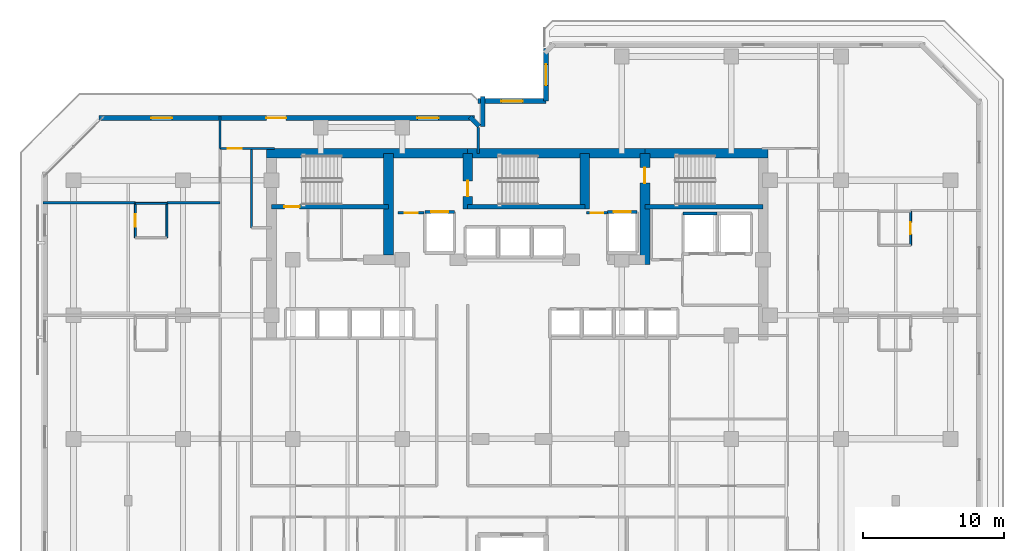
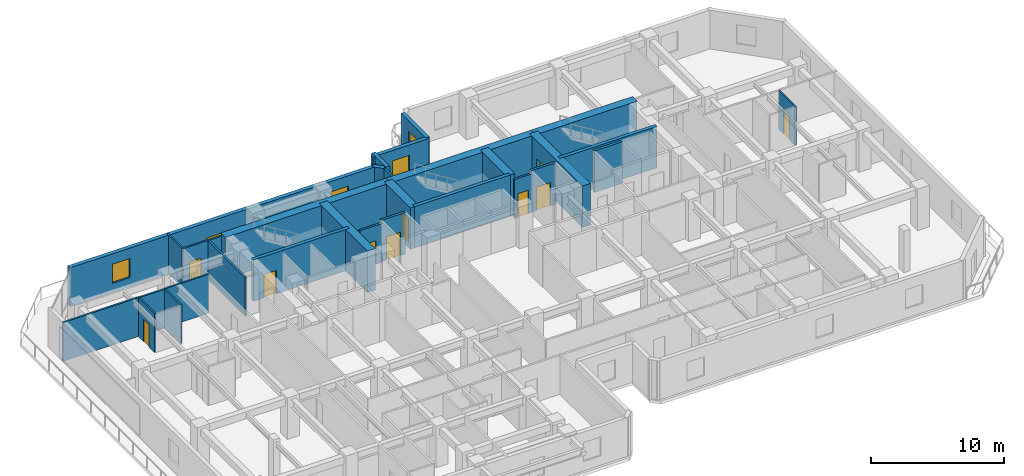
# One storey, part 8 of 11: 30 walls, 11 doors, 4 windows, 15 openings.
"""IFC4 building model written with IfcOpenShell, lengths in metres."""

from ifc_helpers import new_model, si_unit, direction, frame, frame_2d, origin, place, context, subcontext, project, spatial, rectangle, extrude, material, layer, layer_set, type_object, element, fill, save


model = new_model("IFC4")

# Units and contexts
model_context = context("Model", 3, precision=1e-05, world=origin(), true_north=direction((0.0, 1.0)))
body_context = subcontext(model_context, "Body", "Model", "MODEL_VIEW")
ifc_project = project(units=[si_unit("LENGTHUNIT", "METRE"), si_unit("AREAUNIT", "SQUARE_METRE"), si_unit("VOLUMEUNIT", "CUBIC_METRE"), si_unit("PLANEANGLEUNIT", "RADIAN"), si_unit("MASSUNIT", "GRAM", prefix="KILO")], contexts=[model_context])

# Site, building, storey
site_placement = place(None, origin())
site = spatial("IfcSite", under=ifc_project, at=site_placement, CompositionType="ELEMENT")
building_placement = place(site_placement, origin())
building = spatial("IfcBuilding", under=site, at=building_placement, Name="Kestravale Grand Hotel", CompositionType="ELEMENT")
storey_placement = place(building_placement, frame((0.0, 0.0, 134.60009765625)))
storey = spatial("IfcBuildingStorey", under=building, at=storey_placement, Name="L33", CompositionType="ELEMENT", Elevation=134.60009765625)

# Walls
ifc_material_1 = material(Name="Concrete f'c 60 MPa", Category="concrete")
ifc_layer_1 = layer(ifc_material_1, 0.699951171875)
ifc_layer_set_1 = layer_set([ifc_layer_1], Name="EW-CORE-700")
wall_type_1 = type_object("IfcWallType", Name="EW-CORE-700", PredefinedType="SHEAR", material=ifc_layer_set_1)
wall_1_placement = place(storey_placement, frame((21.550048828125, 40.320068359375, 0.0), z_axis=(0.0, 0.0, 1.0), x_axis=(1.0, 0.0, 0.0)))
element("IfcWall", 1, at=wall_1_placement, inside=storey, type_object=wall_type_1, Name="L33 core shear wall N1", PredefinedType="SHEAR", context=body_context, shape_type="SweptSolid", body=[
    extrude(rectangle(XDim=14.300048828125, YDim=0.699951171875, at=frame_2d((7.14990234375, 0.0))), origin(), (0.0, 0.0, 1.0), 3.7998046875),
])
wall_2_placement = place(storey_placement, frame((35.85009765625, 40.320068359375, 0.0), z_axis=(0.0, 0.0, 1.0), x_axis=(1.0, 0.0, 0.0)))
element("IfcWall", 2, at=wall_2_placement, inside=storey, type_object=wall_type_1, Name="L33 core shear wall N2", PredefinedType="SHEAR", context=body_context, shape_type="SweptSolid", body=[
    extrude(rectangle(XDim=12.599853515625, YDim=0.699951171875, at=frame_2d((6.2998046875, 0.0))), origin(), (0.0, 0.0, 1.0), 3.7998046875),
])
wall_3_placement = place(storey_placement, frame((48.449951171875, 40.320068359375, 0.0), z_axis=(0.0, 0.0, 1.0), x_axis=(1.0, 0.0, 0.0)))
element("IfcWall", 3, at=wall_3_placement, inside=storey, type_object=wall_type_1, Name="L33 core shear wall N3", PredefinedType="SHEAR", context=body_context, shape_type="SweptSolid", body=[
    extrude(rectangle(XDim=8.77001953125, YDim=0.699951171875, at=frame_2d((4.385009765625, 0.0))), origin(), (0.0, 0.0, 1.0), 3.7998046875),
])
wall_4_placement = place(storey_placement, frame((30.219970703125, 33.10009765625, 0.0), z_axis=(0.0, 0.0, 1.0), x_axis=(0.0, 1.0, 0.0)))
element("IfcWall", 4, at=wall_4_placement, inside=storey, type_object=wall_type_1, Name="L33 core shear wall X1", PredefinedType="SHEAR", context=body_context, shape_type="SweptSolid", body=[
    extrude(rectangle(XDim=7.219970703125, YDim=0.699951171875, at=frame_2d((3.60986328125, 0.0))), origin(), (0.0, 0.0, 1.0), 3.7998046875),
])

# Wall, opening, door
wall_5_placement = place(storey_placement, frame((35.85009765625, 36.3701171875, 0.0), z_axis=(0.0, 0.0, 1.0), x_axis=(0.0, 1.0, 0.0)))
wall_5 = element("IfcWall", 5, at=wall_5_placement, inside=storey, type_object=wall_type_1, Name="L33 core shear wall X2", PredefinedType="SHEAR", context=body_context, shape_type="SweptSolid", body=[
    extrude(rectangle(XDim=3.949951171875, YDim=0.699951171875, at=frame_2d((1.97509765625, 0.0))), origin(), (0.0, 0.0, 1.0), 3.7998046875),
])
opening_1_placement = place(wall_5_placement, frame((0.8798828125, 0.0, 0.0)))
opening_1 = element("IfcOpeningElement", 6, at=opening_1_placement, cuts=wall_5, Name="Opening D-ST-1100", PredefinedType="OPENING", context=body_context, shape_type="SweptSolid", body=[
    extrude(rectangle(XDim=1.10009765625, YDim=2.14990234375, at=frame_2d((0.550048828125, 1.074951171875))), frame((0.0, 0.35986328125, 0.0), z_axis=(0.0, -1.0, 0.0), x_axis=(1.0, 0.0, 0.0)), (0.0, 0.0, 1.0), 0.719970703125),
])
ifc_material_2 = material(Name="Galvanised 90-minute fire-rated steel stair door", Category="steel")
door_type_1 = type_object("IfcDoorType", Name="D-ST-1100", OperationType="NOTDEFINED", PredefinedType="DOOR", material=ifc_material_2)
door_1_placement = place(opening_1_placement, origin())
door_1 = element("IfcDoor", 7, at=door_1_placement, inside=storey, type_object=door_type_1, Name="L33 Stair ST-2 FSAE fire door", OperationType="SINGLE_SWING_RIGHT", OverallHeight=2.14990234375, OverallWidth=1.10009765625, PredefinedType="DOOR", context=body_context, shape_type="SweptSolid", body=[
    extrude(rectangle(XDim=1.10009765625, YDim=2.14990234375, at=frame_2d((0.550048828125, 1.074951171875))), frame((0.0, 0.02490234375, 0.0), z_axis=(0.0, -1.0, 0.0), x_axis=(1.0, 0.0, 0.0)), (0.0, 0.0, 1.0), 0.050048828125),
])
fill(opening_1, door_1)

# Wall
wall_6_placement = place(storey_placement, frame((44.179931640625, 36.3701171875, 0.0), z_axis=(0.0, 0.0, 1.0), x_axis=(0.0, 1.0, 0.0)))
element("IfcWall", 8, at=wall_6_placement, inside=storey, type_object=wall_type_1, Name="L33 core shear wall X3", PredefinedType="SHEAR", context=body_context, shape_type="SweptSolid", body=[
    extrude(rectangle(XDim=3.949951171875, YDim=0.699951171875, at=frame_2d((1.97509765625, 0.0))), origin(), (0.0, 0.0, 1.0), 3.7998046875),
])

# Wall, opening, door
wall_7_placement = place(storey_placement, frame((48.449951171875, 32.39990234375, 0.0), z_axis=(0.0, 0.0, 1.0), x_axis=(0.0, 1.0, 0.0)))
wall_7 = element("IfcWall", 9, at=wall_7_placement, inside=storey, type_object=wall_type_1, Name="L33 core shear wall X4", PredefinedType="SHEAR", context=body_context, shape_type="SweptSolid", body=[
    extrude(rectangle(XDim=7.920166015625, YDim=0.699951171875, at=frame_2d((3.9599609375, 0.0))), origin(), (0.0, 0.0, 1.0), 3.7998046875),
])
opening_2_placement = place(wall_7_placement, frame((5.800048828125, 0.0, 0.0)))
opening_2 = element("IfcOpeningElement", 10, at=opening_2_placement, cuts=wall_7, Name="Opening D-ST-1100", PredefinedType="OPENING", context=body_context, shape_type="SweptSolid", body=[
    extrude(rectangle(XDim=1.10009765625, YDim=2.14990234375, at=frame_2d((0.550048828125, 1.074951171875))), frame((0.0, 0.35986328125, 0.0), z_axis=(0.0, -1.0, 0.0), x_axis=(1.0, 0.0, 0.0)), (0.0, 0.0, 1.0), 0.719970703125),
])
door_2_placement = place(opening_2_placement, origin())
door_2 = element("IfcDoor", 11, at=door_2_placement, inside=storey, type_object=door_type_1, Name="L33 Stair ST-3 FSAE fire door", OperationType="SINGLE_SWING_RIGHT", OverallHeight=2.14990234375, OverallWidth=1.10009765625, PredefinedType="DOOR", context=body_context, shape_type="SweptSolid", body=[
    extrude(rectangle(XDim=1.10009765625, YDim=2.14990234375, at=frame_2d((0.550048828125, 1.074951171875))), frame((0.0, 0.02490234375, 0.0), z_axis=(0.0, -1.0, 0.0), x_axis=(1.0, 0.0, 0.0)), (0.0, 0.0, 1.0), 0.050048828125),
])
fill(opening_2, door_2)

# Wall, opening, window
ifc_material_3 = material(Name="Precast concrete f'c 45 MPa", Category="concrete")
ifc_layer_2 = layer(ifc_material_3, 0.340087890625)
ifc_layer_set_2 = layer_set([ifc_layer_2], Name="EW-PREC-340")
wall_type_2 = type_object("IfcWallType", Name="EW-PREC-340", PredefinedType="SOLIDWALL", material=ifc_layer_set_2)
wall_8_placement = place(storey_placement, frame((41.419921875, 47.77001953125, 0.0), z_axis=(0.0, 0.0, 1.0), x_axis=(0.0, -1.0, 0.0)))
wall_8 = element("IfcWall", 12, at=wall_8_placement, inside=storey, type_object=wall_type_2, Name="L33 fluted precast facade wall 13", PredefinedType="SOLIDWALL", context=body_context, shape_type="SweptSolid", body=[
    extrude(rectangle(XDim=3.739990234375, YDim=0.340087890625, at=frame_2d((1.8701171875, 0.0))), origin(), (0.0, 0.0, 1.0), 3.5498046875),
])
opening_3_placement = place(wall_8_placement, frame((1.1201171875, 0.0, 0.85009765625)))
opening_3 = element("IfcOpeningElement", 13, at=opening_3_placement, cuts=wall_8, Name="Opening W-GUEST-1500", PredefinedType="OPENING", context=body_context, shape_type="SweptSolid", body=[
    extrude(rectangle(XDim=1.5, YDim=1.75, at=frame_2d((0.75, 0.875))), frame((0.0, 0.179931640625, 0.0), z_axis=(0.0, -1.0, 0.0), x_axis=(1.0, 0.0, 0.0)), (0.0, 0.0, 1.0), 0.360107421875),
])
ifc_material_4 = material(Name="Insulated low-E double glazing in aluminium frame", Category="aluminium")
window_type = type_object("IfcWindowType", Name="W-GUEST-1500", PartitioningType="SINGLE_PANEL", PredefinedType="WINDOW", material=ifc_material_4)
window_1_placement = place(opening_3_placement, origin())
window_1 = element("IfcWindow", 14, at=window_1_placement, inside=storey, type_object=window_type, Name="L33 exterior window 13.1", OverallHeight=1.75, OverallWidth=1.5, PartitioningType="SINGLE_PANEL", PredefinedType="WINDOW", context=body_context, shape_type="SweptSolid", body=[
    extrude(rectangle(XDim=1.5, YDim=1.75, at=frame_2d((0.75, 0.875))), frame((0.0, 0.030029296875, 0.0), z_axis=(0.0, -1.0, 0.0), x_axis=(1.0, 0.0, 0.0)), (0.0, 0.0, 1.0), 0.06005859375),
])
fill(opening_3, window_1)

wall_9_placement = place(storey_placement, frame((41.419921875, 44.030029296875, 0.0), z_axis=(0.0, 0.0, 1.0), x_axis=(-1.0, 0.0, 0.0)))
wall_9 = element("IfcWall", 15, at=wall_9_placement, inside=storey, type_object=wall_type_2, Name="L33 fluted precast facade wall 14", PredefinedType="SOLIDWALL", context=body_context, shape_type="SweptSolid", body=[
    extrude(rectangle(XDim=4.83984375, YDim=0.340087890625, at=frame_2d((2.419921875, 0.0))), origin(), (0.0, 0.0, 1.0), 3.5498046875),
])
opening_4_placement = place(wall_9_placement, frame((1.669921875, 0.0, 0.85009765625)))
opening_4 = element("IfcOpeningElement", 16, at=opening_4_placement, cuts=wall_9, Name="Opening W-GUEST-1500", PredefinedType="OPENING", context=body_context, shape_type="SweptSolid", body=[
    extrude(rectangle(XDim=1.5, YDim=1.75, at=frame_2d((0.75, 0.875))), frame((0.0, 0.179931640625, 0.0), z_axis=(0.0, -1.0, 0.0), x_axis=(1.0, 0.0, 0.0)), (0.0, 0.0, 1.0), 0.360107421875),
])
window_2_placement = place(opening_4_placement, origin())
window_2 = element("IfcWindow", 17, at=window_2_placement, inside=storey, type_object=window_type, Name="L33 exterior window 14.1", OverallHeight=1.75, OverallWidth=1.5, PartitioningType="SINGLE_PANEL", PredefinedType="WINDOW", context=body_context, shape_type="SweptSolid", body=[
    extrude(rectangle(XDim=1.5, YDim=1.75, at=frame_2d((0.75, 0.875))), frame((0.0, 0.030029296875, 0.0), z_axis=(0.0, -1.0, 0.0), x_axis=(1.0, 0.0, 0.0)), (0.0, 0.0, 1.0), 0.06005859375),
])
fill(opening_4, window_2)

# Walls
wall_10_placement = place(storey_placement, frame((36.919921875, 44.3701171875, 0.0), z_axis=(0.0, 0.0, 1.0), x_axis=(0.0, -1.0, 0.0)))
element("IfcWall", 18, at=wall_10_placement, inside=storey, type_object=wall_type_2, Name="L33 fluted precast facade wall 15", PredefinedType="SOLIDWALL", context=body_context, shape_type="SweptSolid", body=[
    extrude(rectangle(XDim=2.14013671875, YDim=0.340087890625, at=frame_2d((1.070068359375, 0.0))), origin(), (0.0, 0.0, 1.0), 3.5498046875),
])
wall_11_placement = place(storey_placement, frame((36.658203125, 42.25146484375, 0.0), z_axis=(0.0, 0.0, 1.0), x_axis=(-0.707106781187, 0.707106781187, 0.0)))
element("IfcWall", 19, at=wall_11_placement, inside=storey, type_object=wall_type_2, Name="L33 fluted precast facade wall 16", PredefinedType="SOLIDWALL", context=body_context, shape_type="SweptSolid", body=[
    extrude(rectangle(XDim=0.9287109375, YDim=0.340087890625, at=frame_2d((0.46435546875, 0.0))), origin(), (0.0, 0.0, 1.0), 3.5498046875),
])

# Wall, openings, door, windows
wall_12_placement = place(storey_placement, frame((36.320068359375, 42.830078125, 0.0), z_axis=(0.0, 0.0, 1.0), x_axis=(-1.0, 0.0, 0.0)))
wall_12 = element("IfcWall", 20, at=wall_12_placement, inside=storey, type_object=wall_type_2, Name="L33 fluted precast facade wall 17", PredefinedType="SOLIDWALL", context=body_context, shape_type="SweptSolid", body=[
    extrude(rectangle(XDim=26.690185546875, YDim=0.340087890625, at=frame_2d((13.34521484375, 0.0))), origin(), (0.0, 0.0, 1.0), 3.5498046875),
])
opening_5_placement = place(wall_12_placement, frame((13.39501953125, 0.0, 0.0)))
opening_5 = element("IfcOpeningElement", 21, at=opening_5_placement, cuts=wall_12, Name="Opening D-TERR-1400", PredefinedType="OPENING", context=body_context, shape_type="SweptSolid", body=[
    extrude(rectangle(XDim=1.39990234375, YDim=2.14990234375, at=frame_2d((0.699951171875, 1.074951171875))), frame((0.0, 0.179931640625, 0.0), z_axis=(0.0, -1.0, 0.0), x_axis=(1.0, 0.0, 0.0)), (0.0, 0.0, 1.0), 0.360107421875),
])
opening_6_placement = place(wall_12_placement, frame((2.54833984375, 0.0, 0.85009765625)))
opening_6 = element("IfcOpeningElement", 22, at=opening_6_placement, cuts=wall_12, Name="Opening W-GUEST-1500", PredefinedType="OPENING", context=body_context, shape_type="SweptSolid", body=[
    extrude(rectangle(XDim=1.5, YDim=1.75, at=frame_2d((0.75, 0.875))), frame((0.0, 0.179931640625, 0.0), z_axis=(0.0, -1.0, 0.0), x_axis=(1.0, 0.0, 0.0)), (0.0, 0.0, 1.0), 0.360107421875),
])
opening_7_placement = place(wall_12_placement, frame((21.49169921875, 0.0, 0.85009765625)))
opening_7 = element("IfcOpeningElement", 23, at=opening_7_placement, cuts=wall_12, Name="Opening W-GUEST-1500", PredefinedType="OPENING", context=body_context, shape_type="SweptSolid", body=[
    extrude(rectangle(XDim=1.5, YDim=1.75, at=frame_2d((0.75, 0.875))), frame((0.0, 0.179931640625, 0.0), z_axis=(0.0, -1.0, 0.0), x_axis=(1.0, 0.0, 0.0)), (0.0, 0.0, 1.0), 0.360107421875),
])
ifc_material_5 = material(Name="Insulated glazed champagne-bronze aluminium door", Category="aluminium")
door_type_2 = type_object("IfcDoorType", Name="D-TERR-1400", OperationType="NOTDEFINED", PredefinedType="DOOR", material=ifc_material_5)
door_3_placement = place(opening_5_placement, origin())
door_3 = element("IfcDoor", 24, at=door_3_placement, inside=storey, type_object=door_type_2, Name="L33 outdoor garden terrace door", OperationType="DOUBLE_DOOR_SINGLE_SWING", OverallHeight=2.14990234375, OverallWidth=1.39990234375, PredefinedType="DOOR", context=body_context, shape_type="SweptSolid", body=[
    extrude(rectangle(XDim=1.39990234375, YDim=2.14990234375, at=frame_2d((0.699951171875, 1.074951171875))), frame((0.0, 0.02490234375, 0.0), z_axis=(0.0, -1.0, 0.0), x_axis=(1.0, 0.0, 0.0)), (0.0, 0.0, 1.0), 0.050048828125),
])
fill(opening_5, door_3)
window_3_placement = place(opening_6_placement, origin())
window_3 = element("IfcWindow", 25, at=window_3_placement, inside=storey, type_object=window_type, Name="L33 exterior window 17.1", OverallHeight=1.75, OverallWidth=1.5, PartitioningType="SINGLE_PANEL", PredefinedType="WINDOW", context=body_context, shape_type="SweptSolid", body=[
    extrude(rectangle(XDim=1.5, YDim=1.75, at=frame_2d((0.75, 0.875))), frame((0.0, 0.030029296875, 0.0), z_axis=(0.0, -1.0, 0.0), x_axis=(1.0, 0.0, 0.0)), (0.0, 0.0, 1.0), 0.06005859375),
])
fill(opening_6, window_3)
window_4_placement = place(opening_7_placement, origin())
window_4 = element("IfcWindow", 26, at=window_4_placement, inside=storey, type_object=window_type, Name="L33 exterior window 17.2", OverallHeight=1.75, OverallWidth=1.5, PartitioningType="SINGLE_PANEL", PredefinedType="WINDOW", context=body_context, shape_type="SweptSolid", body=[
    extrude(rectangle(XDim=1.5, YDim=1.75, at=frame_2d((0.75, 0.875))), frame((0.0, 0.030029296875, 0.0), z_axis=(0.0, -1.0, 0.0), x_axis=(1.0, 0.0, 0.0)), (0.0, 0.0, 1.0), 0.06005859375),
])
fill(opening_7, window_4)

# Wall, opening, door
ifc_material_6 = material(Name="Concrete f'c 45 MPa", Category="concrete")
ifc_layer_3 = layer(ifc_material_6, 0.300048828125)
ifc_layer_set_3 = layer_set([ifc_layer_3], Name="EW-STAIR-300")
wall_type_3 = type_object("IfcWallType", Name="EW-STAIR-300", PredefinedType="SHEAR", material=ifc_layer_set_3)
wall_13_placement = place(storey_placement, frame((21.89990234375, 36.52001953125, 0.0), z_axis=(0.0, 0.0, 1.0), x_axis=(1.0, 0.0, 0.0)))
wall_13 = element("IfcWall", 27, at=wall_13_placement, inside=storey, type_object=wall_type_3, Name="L33 stair enclosure shear wall SST1", PredefinedType="SHEAR", context=body_context, shape_type="SweptSolid", body=[
    extrude(rectangle(XDim=8.320068359375, YDim=0.300048828125, at=frame_2d((4.16015625, 0.0))), origin(), (0.0, 0.0, 1.0), 3.7998046875),
])
opening_8_placement = place(wall_13_placement, frame((0.89990234375, 0.0, 0.0)))
opening_8 = element("IfcOpeningElement", 28, at=opening_8_placement, cuts=wall_13, Name="Opening D-ST-1100", PredefinedType="OPENING", context=body_context, shape_type="SweptSolid", body=[
    extrude(rectangle(XDim=1.10009765625, YDim=2.14990234375, at=frame_2d((0.550048828125, 1.074951171875))), frame((0.0, 0.159912109375, 0.0), z_axis=(0.0, -1.0, 0.0), x_axis=(1.0, 0.0, 0.0)), (0.0, 0.0, 1.0), 0.320068359375),
])
door_4_placement = place(opening_8_placement, origin())
door_4 = element("IfcDoor", 29, at=door_4_placement, inside=storey, type_object=door_type_1, Name="L33 Stair ST-1 fire door", OperationType="SINGLE_SWING_RIGHT", OverallHeight=2.14990234375, OverallWidth=1.10009765625, PredefinedType="DOOR", context=body_context, shape_type="SweptSolid", body=[
    extrude(rectangle(XDim=1.10009765625, YDim=2.14990234375, at=frame_2d((0.550048828125, 1.074951171875))), frame((0.0, 0.02490234375, 0.0), z_axis=(0.0, -1.0, 0.0), x_axis=(1.0, 0.0, 0.0)), (0.0, 0.0, 1.0), 0.050048828125),
])
fill(opening_8, door_4)

# Walls
wall_14_placement = place(storey_placement, frame((35.85009765625, 36.52001953125, 0.0), z_axis=(0.0, 0.0, 1.0), x_axis=(1.0, 0.0, 0.0)))
element("IfcWall", 30, at=wall_14_placement, inside=storey, type_object=wall_type_3, Name="L33 stair enclosure shear wall SST2", PredefinedType="SHEAR", context=body_context, shape_type="SweptSolid", body=[
    extrude(rectangle(XDim=8.329833984375, YDim=0.300048828125, at=frame_2d((4.1650390625, 0.0))), origin(), (0.0, 0.0, 1.0), 3.7998046875),
])
wall_15_placement = place(storey_placement, frame((48.449951171875, 36.52001953125, 0.0), z_axis=(0.0, 0.0, 1.0), x_axis=(1.0, 0.0, 0.0)))
element("IfcWall", 31, at=wall_15_placement, inside=storey, type_object=wall_type_3, Name="L33 stair enclosure shear wall SST3", PredefinedType="SHEAR", context=body_context, shape_type="SweptSolid", body=[
    extrude(rectangle(XDim=8.420166015625, YDim=0.300048828125, at=frame_2d((4.2099609375, 0.0))), origin(), (0.0, 0.0, 1.0), 3.7998046875),
])
ifc_material_7 = material(Name="Acoustic fire-rated gypsum board partition", Category="other")
ifc_layer_4 = layer(ifc_material_7, 0.159912109375)
ifc_layer_set_4 = layer_set([ifc_layer_4], Name="IW-CORR-160")
wall_type_4 = type_object("IfcWallType", Name="IW-CORR-160", PredefinedType="PARTITIONING", material=ifc_layer_set_4)
wall_16_placement = place(storey_placement, frame((20.4599609375, 35.02001953125, 0.0), z_axis=(0.0, 0.0, 1.0), x_axis=(0.0, 1.0, 0.0)))
element("IfcWall", 32, at=wall_16_placement, inside=storey, type_object=wall_type_4, Name="W-L33-SW-EN", PredefinedType="PARTITIONING", context=body_context, shape_type="SweptSolid", body=[
    extrude(rectangle(XDim=5.6298828125, YDim=0.159912109375, at=frame_2d((2.81494140625, 0.0))), origin(), (0.0, 0.0, 1.0), 3.5498046875),
])

# Wall, opening, door
ifc_material_8 = material(Name="Fire-rated gypsum board on steel studs with mineral wool", Category="steel")
ifc_layer_5 = layer(ifc_material_8, 0.179931640625)
ifc_layer_set_5 = layer_set([ifc_layer_5], Name="IW-FSAE-180")
wall_type_5 = type_object("IfcWallType", Name="IW-FSAE-180", PredefinedType="PARTITIONING", material=ifc_layer_set_5)
wall_17_placement = place(storey_placement, frame((30.89990234375, 36.080078125, 0.0), z_axis=(0.0, 0.0, 1.0), x_axis=(1.0, 0.0, 0.0)))
wall_17 = element("IfcWall", 33, at=wall_17_placement, inside=storey, type_object=wall_type_5, Name="L33 FSAE Lobby 1 smoke barrier", PredefinedType="PARTITIONING", context=body_context, shape_type="SweptSolid", body=[
    extrude(rectangle(XDim=1.85009765625, YDim=0.179931640625, at=frame_2d((0.925048828125, 0.0))), origin(), (0.0, 0.0, 1.0), 3.5498046875),
])
opening_9_placement = place(wall_17_placement, frame((0.47998046875, 0.0, 0.0)))
opening_9 = element("IfcOpeningElement", 34, at=opening_9_placement, cuts=wall_17, Name="Opening D-FSAE-1000", PredefinedType="OPENING", context=body_context, shape_type="SweptSolid", body=[
    extrude(rectangle(XDim=0.89990234375, YDim=2.14990234375, at=frame_2d((0.449951171875, 1.074951171875))), frame((0.0, 0.099853515625, 0.0), z_axis=(0.0, -1.0, 0.0), x_axis=(1.0, 0.0, 0.0)), (0.0, 0.0, 1.0), 0.199951171875),
])
ifc_material_9 = material(Name="Smoke-gasketed FSAE lobby fire door", Category="steel")
door_type_3 = type_object("IfcDoorType", Name="D-FSAE-1000", OperationType="NOTDEFINED", PredefinedType="DOOR", material=ifc_material_9)
door_5_placement = place(opening_9_placement, origin())
door_5 = element("IfcDoor", 35, at=door_5_placement, inside=storey, type_object=door_type_3, Name="L33 FSAE Lobby 1 fire door", OperationType="SINGLE_SWING_RIGHT", OverallHeight=2.14990234375, OverallWidth=0.89990234375, PredefinedType="DOOR", context=body_context, shape_type="SweptSolid", body=[
    extrude(rectangle(XDim=0.89990234375, YDim=2.14990234375, at=frame_2d((0.449951171875, 1.074951171875))), frame((0.0, 0.02490234375, 0.0), z_axis=(0.0, -1.0, 0.0), x_axis=(1.0, 0.0, 0.0)), (0.0, 0.0, 1.0), 0.050048828125),
])
fill(opening_9, door_5)

wall_18_placement = place(storey_placement, frame((44.300048828125, 36.080078125, 0.0), z_axis=(0.0, 0.0, 1.0), x_axis=(1.0, 0.0, 0.0)))
wall_18 = element("IfcWall", 36, at=wall_18_placement, inside=storey, type_object=wall_type_5, Name="L33 FSAE Lobby 2 smoke barrier", PredefinedType="PARTITIONING", context=body_context, shape_type="SweptSolid", body=[
    extrude(rectangle(XDim=1.5, YDim=0.179931640625, at=frame_2d((0.75, 0.0))), origin(), (0.0, 0.0, 1.0), 3.5498046875),
])
opening_10_placement = place(wall_18_placement, frame((0.300048828125, 0.0, 0.0)))
opening_10 = element("IfcOpeningElement", 37, at=opening_10_placement, cuts=wall_18, Name="Opening D-FSAE-1000", PredefinedType="OPENING", context=body_context, shape_type="SweptSolid", body=[
    extrude(rectangle(XDim=0.89990234375, YDim=2.14990234375, at=frame_2d((0.449951171875, 1.074951171875))), frame((0.0, 0.099853515625, 0.0), z_axis=(0.0, -1.0, 0.0), x_axis=(1.0, 0.0, 0.0)), (0.0, 0.0, 1.0), 0.199951171875),
])
door_6_placement = place(opening_10_placement, origin())
door_6 = element("IfcDoor", 38, at=door_6_placement, inside=storey, type_object=door_type_3, Name="L33 FSAE Lobby 2 fire door", OperationType="SINGLE_SWING_LEFT", OverallHeight=2.14990234375, OverallWidth=0.89990234375, PredefinedType="DOOR", context=body_context, shape_type="SweptSolid", body=[
    extrude(rectangle(XDim=0.89990234375, YDim=2.14990234375, at=frame_2d((0.449951171875, 1.074951171875))), frame((0.0, 0.02490234375, 0.0), z_axis=(0.0, -1.0, 0.0), x_axis=(1.0, 0.0, 0.0)), (0.0, 0.0, 1.0), 0.050048828125),
])
fill(opening_10, door_6)

ifc_material_10 = material(Name="Moisture-resistant tile-backer plumbing chase wall", Category="other")
ifc_layer_6 = layer(ifc_material_10, 0.139892578125)
ifc_layer_set_6 = layer_set([ifc_layer_6], Name="IW-PLB-140")
wall_type_6 = type_object("IfcWallType", Name="IW-PLB-140", PredefinedType="PLUMBINGWALL", material=ifc_layer_set_6)
wall_19_placement = place(storey_placement, frame((12.199951171875, 34.31005859375, 0.0), z_axis=(0.0, 0.0, 1.0), x_axis=(0.0, 1.0, 0.0)))
wall_19 = element("IfcWall", 39, at=wall_19_placement, inside=storey, type_object=wall_type_6, Name="W-L33-U05-BW", PredefinedType="PLUMBINGWALL", context=body_context, shape_type="SweptSolid", body=[
    extrude(rectangle(XDim=2.449951171875, YDim=0.139892578125, at=frame_2d((1.22509765625, 0.0))), origin(), (0.0, 0.0, 1.0), 3.5498046875),
])
opening_11_placement = place(wall_19_placement, frame((0.784912109375, 0.0, 0.0)))
opening_11 = element("IfcOpeningElement", 40, at=opening_11_placement, cuts=wall_19, Name="Opening D-BATH-880", PredefinedType="OPENING", context=body_context, shape_type="SweptSolid", body=[
    extrude(rectangle(XDim=0.8798828125, YDim=2.050048828125, at=frame_2d((0.43994140625, 1.02490234375))), frame((0.0, 0.079833984375, 0.0), z_axis=(0.0, -1.0, 0.0), x_axis=(1.0, 0.0, 0.0)), (0.0, 0.0, 1.0), 0.159912109375),
])
ifc_material_11 = material(Name="Moisture-sealed walnut en-suite bathroom door", Category="wood")
door_type_4 = type_object("IfcDoorType", Name="D-BATH-880", OperationType="NOTDEFINED", PredefinedType="DOOR", material=ifc_material_11)
door_7_placement = place(opening_11_placement, origin())
door_7 = element("IfcDoor", 41, at=door_7_placement, inside=storey, type_object=door_type_4, Name="D-L33-U05-BATH", OperationType="SINGLE_SWING_LEFT", OverallHeight=2.050048828125, OverallWidth=0.8798828125, PredefinedType="DOOR", context=body_context, shape_type="SweptSolid", body=[
    extrude(rectangle(XDim=0.8798828125, YDim=2.050048828125, at=frame_2d((0.43994140625, 1.02490234375))), frame((0.0, 0.02490234375, 0.0), z_axis=(0.0, -1.0, 0.0), x_axis=(1.0, 0.0, 0.0)), (0.0, 0.0, 1.0), 0.050048828125),
])
fill(opening_11, door_7)

# Walls
wall_20_placement = place(storey_placement, frame((14.449951171875, 34.31005859375, 0.0), z_axis=(0.0, 0.0, 1.0), x_axis=(0.0, 1.0, 0.0)))
element("IfcWall", 42, at=wall_20_placement, inside=storey, type_object=wall_type_6, Name="W-L33-U05-BE", PredefinedType="PLUMBINGWALL", context=body_context, shape_type="SweptSolid", body=[
    extrude(rectangle(XDim=2.449951171875, YDim=0.139892578125, at=frame_2d((1.22509765625, 0.0))), origin(), (0.0, 0.0, 1.0), 3.5498046875),
])
wall_21_placement = place(storey_placement, frame((12.199951171875, 36.760009765625, 0.0), z_axis=(0.0, 0.0, 1.0), x_axis=(1.0, 0.0, 0.0)))
element("IfcWall", 43, at=wall_21_placement, inside=storey, type_object=wall_type_6, Name="W-L33-U05-BN", PredefinedType="PLUMBINGWALL", context=body_context, shape_type="SweptSolid", body=[
    extrude(rectangle(XDim=2.25, YDim=0.139892578125, at=frame_2d((1.125, 0.0))), origin(), (0.0, 0.0, 1.0), 3.5498046875),
])

# Wall, opening, door
wall_22_placement = place(storey_placement, frame((67.35009765625, 33.760009765625, 0.0), z_axis=(0.0, 0.0, 1.0), x_axis=(0.0, 1.0, 0.0)))
wall_22 = element("IfcWall", 44, at=wall_22_placement, inside=storey, type_object=wall_type_6, Name="W-L33-U07-BE", PredefinedType="PLUMBINGWALL", context=body_context, shape_type="SweptSolid", body=[
    extrude(rectangle(XDim=2.449951171875, YDim=0.139892578125, at=frame_2d((1.22509765625, 0.0))), origin(), (0.0, 0.0, 1.0), 3.5498046875),
])
opening_12_placement = place(wall_22_placement, frame((0.784912109375, 0.0, 0.0)))
opening_12 = element("IfcOpeningElement", 45, at=opening_12_placement, cuts=wall_22, Name="Opening D-BATH-880", PredefinedType="OPENING", context=body_context, shape_type="SweptSolid", body=[
    extrude(rectangle(XDim=0.8798828125, YDim=2.050048828125, at=frame_2d((0.43994140625, 1.02490234375))), frame((0.0, 0.079833984375, 0.0), z_axis=(0.0, -1.0, 0.0), x_axis=(1.0, 0.0, 0.0)), (0.0, 0.0, 1.0), 0.159912109375),
])
door_8_placement = place(opening_12_placement, origin())
door_8 = element("IfcDoor", 46, at=door_8_placement, inside=storey, type_object=door_type_4, Name="D-L33-U07-BATH", OperationType="SINGLE_SWING_RIGHT", OverallHeight=2.050048828125, OverallWidth=0.8798828125, PredefinedType="DOOR", context=body_context, shape_type="SweptSolid", body=[
    extrude(rectangle(XDim=0.8798828125, YDim=2.050048828125, at=frame_2d((0.43994140625, 1.02490234375))), frame((0.0, 0.02490234375, 0.0), z_axis=(0.0, -1.0, 0.0), x_axis=(1.0, 0.0, 0.0)), (0.0, 0.0, 1.0), 0.050048828125),
])
fill(opening_12, door_8)

# Wall
ifc_material_12 = material(Name="Concrete f'c 45 MPa", Category="concrete")
ifc_layer_7 = layer(ifc_material_12, 0.219970703125)
ifc_layer_set_7 = layer_set([ifc_layer_7], Name="IW-SHAFT-220")
wall_type_7 = type_object("IfcWallType", Name="IW-SHAFT-220", PredefinedType="SHEAR", material=ifc_layer_set_7)
wall_23_placement = place(storey_placement, frame((51.179931640625, 36.030029296875, 0.0), z_axis=(0.0, 0.0, 1.0), x_axis=(1.0, 0.0, 0.0)))
element("IfcWall", 47, at=wall_23_placement, inside=storey, type_object=wall_type_7, Name="L33 SL-1 north shaft wall", PredefinedType="SHEAR", context=body_context, shape_type="SweptSolid", body=[
    extrude(rectangle(XDim=2.420166015625, YDim=0.219970703125, at=frame_2d((1.2099609375, 0.0))), origin(), (0.0, 0.0, 1.0), 3.7998046875),
])

# Wall, opening, door
wall_24_placement = place(storey_placement, frame((32.804931640625, 36.155029296875, 0.0), z_axis=(0.0, 0.0, 1.0), x_axis=(1.0, 0.0, 0.0)))
wall_24 = element("IfcWall", 48, at=wall_24_placement, inside=storey, type_object=wall_type_7, Name="L33 FL-1 north shaft wall", PredefinedType="SHEAR", context=body_context, shape_type="SweptSolid", body=[
    extrude(rectangle(XDim=2.090087890625, YDim=0.219970703125, at=frame_2d((1.044921875, 0.0))), origin(), (0.0, 0.0, 1.0), 3.7998046875),
])
opening_13_placement = place(wall_24_placement, frame((0.445068359375, 0.0, 0.0)))
opening_13 = element("IfcOpeningElement", 49, at=opening_13_placement, cuts=wall_24, Name="Opening LD-FSAE-1200", PredefinedType="OPENING", context=body_context, shape_type="SweptSolid", body=[
    extrude(rectangle(XDim=1.199951171875, YDim=2.14990234375, at=frame_2d((0.60009765625, 1.074951171875))), frame((0.0, 0.119873046875, 0.0), z_axis=(0.0, -1.0, 0.0), x_axis=(1.0, 0.0, 0.0)), (0.0, 0.0, 1.0), 0.239990234375),
])
ifc_material_13 = material(Name="Stainless fire-service sliding elevator landing door", Category="steel")
door_type_5 = type_object("IfcDoorType", Name="LD-FSAE-1200", OperationType="NOTDEFINED", PredefinedType="DOOR", material=ifc_material_13)
door_9_placement = place(opening_13_placement, origin())
door_9 = element("IfcDoor", 50, at=door_9_placement, inside=storey, type_object=door_type_5, Name="L33 FL-1 elevator landing sliding door", OperationType="DOUBLE_DOOR_SLIDING", OverallHeight=2.14990234375, OverallWidth=1.199951171875, PredefinedType="DOOR", context=body_context, shape_type="SweptSolid", body=[
    extrude(rectangle(XDim=1.199951171875, YDim=2.14990234375, at=frame_2d((0.60009765625, 1.074951171875))), frame((0.0, 0.02490234375, 0.0), z_axis=(0.0, -1.0, 0.0), x_axis=(1.0, 0.0, 0.0)), (0.0, 0.0, 1.0), 0.050048828125),
])
fill(opening_13, door_9)

wall_25_placement = place(storey_placement, frame((45.804931640625, 36.155029296875, 0.0), z_axis=(0.0, 0.0, 1.0), x_axis=(1.0, 0.0, 0.0)))
wall_25 = element("IfcWall", 51, at=wall_25_placement, inside=storey, type_object=wall_type_7, Name="L33 FL-2 north shaft wall", PredefinedType="SHEAR", context=body_context, shape_type="SweptSolid", body=[
    extrude(rectangle(XDim=2.090087890625, YDim=0.219970703125, at=frame_2d((1.044921875, 0.0))), origin(), (0.0, 0.0, 1.0), 3.7998046875),
])
opening_14_placement = place(wall_25_placement, frame((0.445068359375, 0.0, 0.0)))
opening_14 = element("IfcOpeningElement", 52, at=opening_14_placement, cuts=wall_25, Name="Opening LD-FSAE-1200", PredefinedType="OPENING", context=body_context, shape_type="SweptSolid", body=[
    extrude(rectangle(XDim=1.199951171875, YDim=2.14990234375, at=frame_2d((0.60009765625, 1.074951171875))), frame((0.0, 0.119873046875, 0.0), z_axis=(0.0, -1.0, 0.0), x_axis=(1.0, 0.0, 0.0)), (0.0, 0.0, 1.0), 0.239990234375),
])
door_10_placement = place(opening_14_placement, origin())
door_10 = element("IfcDoor", 53, at=door_10_placement, inside=storey, type_object=door_type_5, Name="L33 FL-2 elevator landing sliding door", OperationType="DOUBLE_DOOR_SLIDING", OverallHeight=2.14990234375, OverallWidth=1.199951171875, PredefinedType="DOOR", context=body_context, shape_type="SweptSolid", body=[
    extrude(rectangle(XDim=1.199951171875, YDim=2.14990234375, at=frame_2d((0.60009765625, 1.074951171875))), frame((0.0, 0.02490234375, 0.0), z_axis=(0.0, -1.0, 0.0), x_axis=(1.0, 0.0, 0.0)), (0.0, 0.0, 1.0), 0.050048828125),
])
fill(opening_14, door_10)

ifc_material_14 = material(Name="Double-stud STC 52 acoustic demising partition", Category="other")
ifc_layer_8 = layer(ifc_material_14, 0.14990234375)
ifc_layer_set_8 = layer_set([ifc_layer_8], Name="IW-UNIT-150")
wall_type_8 = type_object("IfcWallType", Name="IW-UNIT-150", PredefinedType="PARTITIONING", material=ifc_layer_set_8)
wall_26_placement = place(storey_placement, frame((18.239990234375, 40.64990234375, 0.0), z_axis=(0.0, 0.0, 1.0), x_axis=(1.0, 0.0, 0.0)))
wall_26 = element("IfcWall", 54, at=wall_26_placement, inside=storey, type_object=wall_type_8, Name="W-L33-SW-N", PredefinedType="PARTITIONING", context=body_context, shape_type="SweptSolid", body=[
    extrude(rectangle(XDim=3.860107421875, YDim=0.14990234375, at=frame_2d((1.93017578125, 0.0))), origin(), (0.0, 0.0, 1.0), 3.5498046875),
])
opening_15_placement = place(wall_26_placement, frame((0.550048828125, 0.0, 0.0)))
opening_15 = element("IfcOpeningElement", 55, at=opening_15_placement, cuts=wall_26, Name="Opening D-GUEST-1000", PredefinedType="OPENING", context=body_context, shape_type="SweptSolid", body=[
    extrude(rectangle(XDim=1.0, YDim=2.14990234375, at=frame_2d((0.5, 1.074951171875))), frame((0.0, 0.0849609375, 0.0), z_axis=(0.0, -1.0, 0.0), x_axis=(1.0, 0.0, 0.0)), (0.0, 0.0, 1.0), 0.169921875),
])
ifc_material_15 = material(Name="Accessible walnut veneer hotel entrance fire door", Category="wood")
door_type_6 = type_object("IfcDoorType", Name="D-GUEST-1000", OperationType="NOTDEFINED", PredefinedType="DOOR", material=ifc_material_15)
door_11_placement = place(opening_15_placement, origin())
door_11 = element("IfcDoor", 56, at=door_11_placement, inside=storey, type_object=door_type_6, Name="L33 NW Gallery Door", OperationType="SINGLE_SWING_RIGHT", OverallHeight=2.14990234375, OverallWidth=1.0, PredefinedType="DOOR", context=body_context, shape_type="SweptSolid", body=[
    extrude(rectangle(XDim=1.0, YDim=2.14990234375, at=frame_2d((0.5, 1.074951171875))), frame((0.0, 0.02490234375, 0.0), z_axis=(0.0, -1.0, 0.0), x_axis=(1.0, 0.0, 0.0)), (0.0, 0.0, 1.0), 0.050048828125),
])
fill(opening_15, door_11)

# Walls
wall_27_placement = place(storey_placement, frame((18.239990234375, 40.64990234375, 0.0), z_axis=(0.0, 0.0, 1.0), x_axis=(0.0, 1.0, 0.0)))
element("IfcWall", 57, at=wall_27_placement, inside=storey, type_object=wall_type_8, Name="W-L33-NGW-W", PredefinedType="PARTITIONING", context=body_context, shape_type="SweptSolid", body=[
    extrude(rectangle(XDim=2.330078125, YDim=0.14990234375, at=frame_2d((1.1650390625, 0.0))), origin(), (0.0, 0.0, 1.0), 3.5498046875),
])
wall_28_placement = place(storey_placement, frame((36.60009765625, 40.320068359375, 0.0), z_axis=(0.0, 0.0, 1.0), x_axis=(0.0, 1.0, 0.0)))
element("IfcWall", 58, at=wall_28_placement, inside=storey, type_object=wall_type_8, Name="W-L33-NGM", PredefinedType="PARTITIONING", context=body_context, shape_type="SweptSolid", body=[
    extrude(rectangle(XDim=1.844970703125, YDim=0.14990234375, at=frame_2d((0.92236328125, 0.0))), origin(), (0.0, 0.0, 1.0), 3.5498046875),
])
wall_29_placement = place(storey_placement, frame((5.6201171875, 36.800048828125, 0.0), z_axis=(0.0, 0.0, 1.0), x_axis=(1.0, 0.0, 0.0)))
element("IfcWall", 59, at=wall_29_placement, inside=storey, type_object=wall_type_8, Name="W-L33-WW-3", PredefinedType="PARTITIONING", context=body_context, shape_type="SweptSolid", body=[
    extrude(rectangle(XDim=6.579833984375, YDim=0.14990234375, at=frame_2d((3.2900390625, 0.0))), origin(), (0.0, 0.0, 1.0), 3.5498046875),
])
wall_30_placement = place(storey_placement, frame((14.449951171875, 36.800048828125, 0.0), z_axis=(0.0, 0.0, 1.0), x_axis=(1.0, 0.0, 0.0)))
element("IfcWall", 60, at=wall_30_placement, inside=storey, type_object=wall_type_8, Name="W-L33-WW-3", PredefinedType="PARTITIONING", context=body_context, shape_type="SweptSolid", body=[
    extrude(rectangle(XDim=3.7900390625, YDim=0.14990234375, at=frame_2d((1.89501953125, 0.0))), origin(), (0.0, 0.0, 1.0), 3.5498046875),
])

save(model, "model.ifc")
